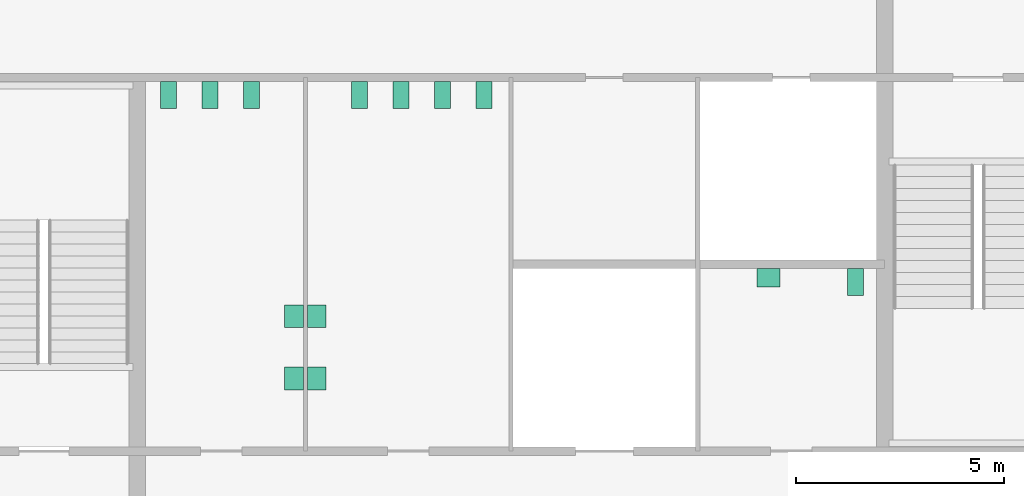
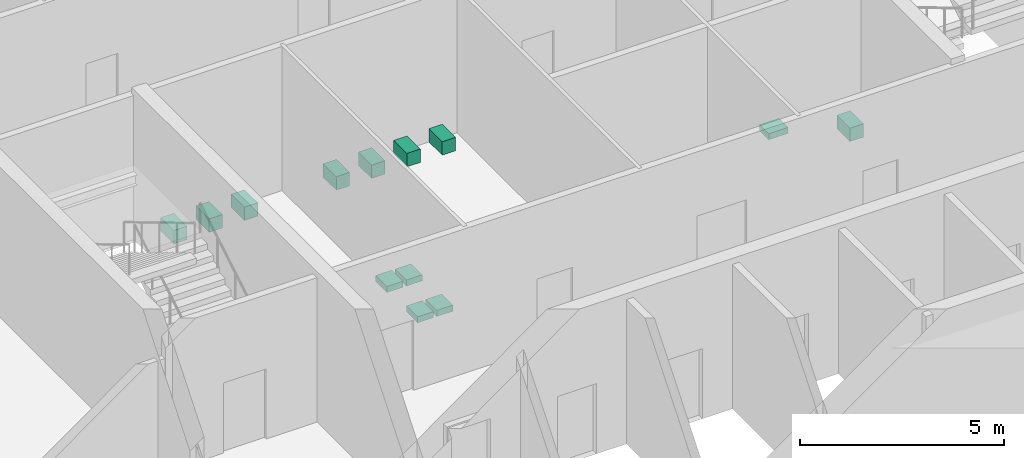
# One storey, part 13 of 13: 13 sanitary terminals.
"""IFC4 building model written with IfcOpenShell, lengths in metres."""

from ifc_helpers import new_model, si_unit, direction, frame, origin, origin_2d, place, context, subcontext, project, spatial, rectangle, extrude, material, type_object, element, save


model = new_model("IFC4")

# Units and contexts
model_context = context("Model", 3, precision=1e-05, world=origin(), true_north=direction((0.0, 1.0)))
body_context = subcontext(model_context, "Body", "Model", "MODEL_VIEW")
ifc_project = project(units=[si_unit("LENGTHUNIT", "METRE"), si_unit("AREAUNIT", "SQUARE_METRE"), si_unit("VOLUMEUNIT", "CUBIC_METRE"), si_unit("PLANEANGLEUNIT", "RADIAN"), si_unit("MASSUNIT", "GRAM", prefix="KILO")], contexts=[model_context])

# Site, building, storey
site_placement = place(None, origin())
site = spatial("IfcSite", under=ifc_project, at=site_placement, CompositionType="ELEMENT")
building_placement = place(site_placement, origin())
building = spatial("IfcBuilding", under=site, at=building_placement, Name="Corais Broadcast Tower", CompositionType="ELEMENT")
storey_placement = place(building_placement, frame((0.0, 0.0, 310.60009765625)))
storey = spatial("IfcBuildingStorey", under=building, at=storey_placement, Name="L73", CompositionType="ELEMENT", Elevation=310.60009765625)

# Sanitary terminals
ifc_material_1 = material(Name="Vitreous china", Category="ceramic")
sanitary_terminal_type_1 = type_object("IfcSanitaryTerminalType", Name="WC pan 380x650", PredefinedType="TOILETPAN", material=ifc_material_1)
for number, where, z_axis, x_axis, name in (
    (1, (18.75, 31.074951171875, 0.0), (0.0, 0.0, 1.0), (1.0, 0.0, 0.0), "SW1 WC pan, male toilets L73"),
    (2, (19.75, 31.074951171875, 0.0), (0.0, 0.0, 1.0), (1.0, 0.0, 0.0), "SW1 WC pan, male toilets L73"),
    (3, (20.75, 31.074951171875, 0.0), (0.0, 0.0, 1.0), (1.0, 0.0, 0.0), "SW1 WC pan, male toilets L73"),
    (4, (23.35009765625, 31.074951171875, 0.0), (0.0, 0.0, 1.0), (1.0, 0.0, 0.0), "SW1 WC pan, female toilets L73"),
    (5, (24.35009765625, 31.074951171875, 0.0), (0.0, 0.0, 1.0), (1.0, 0.0, 0.0), "SW1 WC pan, female toilets L73"),
    (6, (25.35009765625, 31.074951171875, 0.0), (0.0, 0.0, 1.0), (1.0, 0.0, 0.0), "SW1 WC pan, female toilets L73"),
    (7, (26.35009765625, 31.074951171875, 0.0), (0.0, 0.0, 1.0), (1.0, 0.0, 0.0), "SW1 WC pan, female toilets L73"),
    (8, (35.300048828125, 26.574951171875, 0.0), (0.0, 0.0, 1.0), (1.0, 0.0, 0.0), "SW1 WC pan, accessible WC L73"),
):
    element("IfcSanitaryTerminal", number, at=place(storey_placement, frame(where, z_axis=z_axis, x_axis=x_axis)), inside=storey, type_object=sanitary_terminal_type_1, Name=name, PredefinedType="TOILETPAN", context=body_context, shape_type="SweptSolid", body=[
        extrude(rectangle(XDim=0.3798828125, YDim=0.64990234375, at=origin_2d()), origin(), (0.0, 0.0, 1.0), 0.39990234375),
    ])
ifc_material_2 = material(Name="Vitreous china", Category="ceramic")
sanitary_terminal_type_2 = type_object("IfcSanitaryTerminalType", Name="Wash basin 550x450", PredefinedType="WASHHANDBASIN", material=ifc_material_2)
for number, where, z_axis, x_axis, name in (
    (9, (21.77490234375, 24.25, 0.69970703125), (0.0, 0.0, 1.0), (1.0, 0.0, 0.0), "WB1 wash basin, male toilets L73"),
    (10, (21.77490234375, 25.75, 0.69970703125), (0.0, 0.0, 1.0), (1.0, 0.0, 0.0), "WB1 wash basin, male toilets L73"),
    (11, (22.324951171875, 24.25, 0.69970703125), (0.0, 0.0, 1.0), (1.0, 0.0, 0.0), "WB1 wash basin, female toilets L73"),
    (12, (22.324951171875, 25.75, 0.69970703125), (0.0, 0.0, 1.0), (1.0, 0.0, 0.0), "WB1 wash basin, female toilets L73"),
):
    element("IfcSanitaryTerminal", number, at=place(storey_placement, frame(where, z_axis=z_axis, x_axis=x_axis)), inside=storey, type_object=sanitary_terminal_type_2, Name=name, PredefinedType="WASHHANDBASIN", context=body_context, shape_type="SweptSolid", body=[
        extrude(rectangle(XDim=0.449951171875, YDim=0.550048828125, at=origin_2d()), origin(), (0.0, 0.0, 1.0), 0.179931640625),
    ])
sanitary_terminal_placement = place(storey_placement, frame((33.199951171875, 26.675048828125, 0.69970703125), z_axis=(0.0, 0.0, 1.0), x_axis=(1.0, 0.0, 0.0)))
element("IfcSanitaryTerminal", 13, at=sanitary_terminal_placement, inside=storey, type_object=sanitary_terminal_type_2, Name="WB1 wash basin, accessible WC L73", PredefinedType="WASHHANDBASIN", context=body_context, shape_type="SweptSolid", body=[
    extrude(rectangle(XDim=0.550048828125, YDim=0.449951171875, at=origin_2d()), origin(), (0.0, 0.0, 1.0), 0.179931640625),
])

save(model, "model.ifc")
